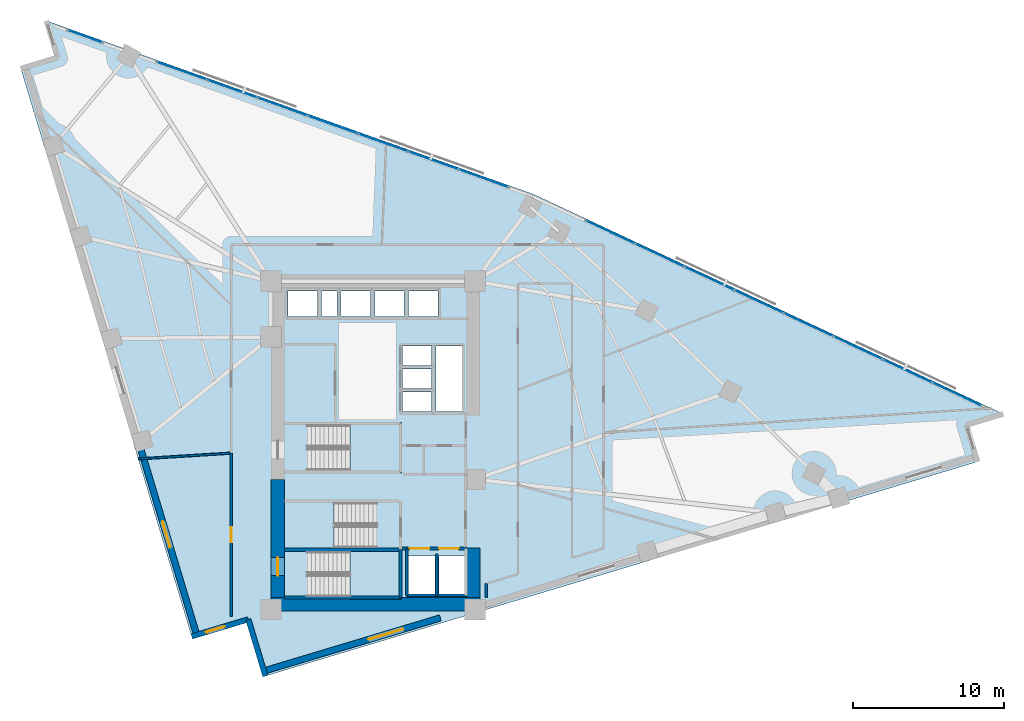
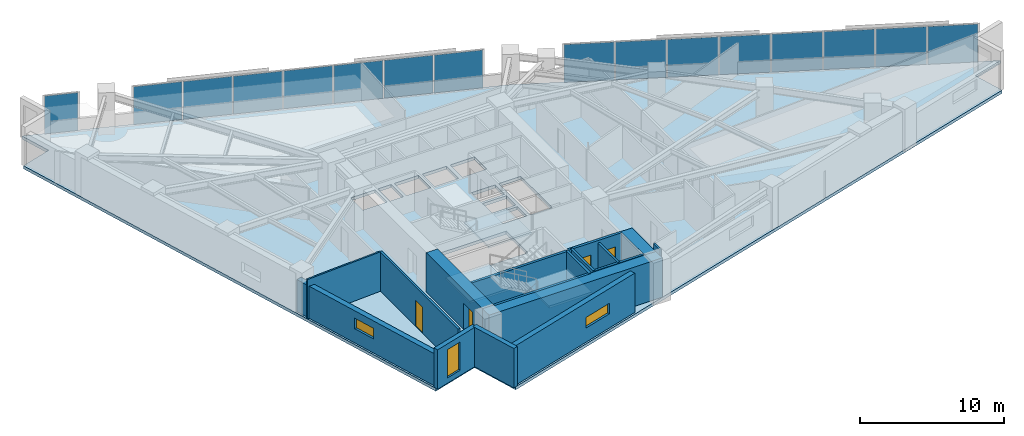
# One storey, part 9 of 17: 17 walls, 16 plates, 4 doors, 4 slabs, 3 windows, 7 openings, 6 elements without a shape of their own.
"""IFC4 building model written with IfcOpenShell, lengths in metres."""

from ifc_helpers import new_model, si_unit, direction, frame, frame_2d, origin, origin_2d, place, context, subcontext, project, spatial, polyline, rectangle, outline, extrude, material, layer, layer_set, type_object, element, fill, aggregate, save


model = new_model("IFC4")

# Units and contexts
model_context = context("Model", 3, precision=1e-05, world=origin(), true_north=direction((0.0, 1.0)))
body_context = subcontext(model_context, "Body", "Model", "MODEL_VIEW")
ifc_project = project(units=[si_unit("LENGTHUNIT", "METRE"), si_unit("AREAUNIT", "SQUARE_METRE"), si_unit("VOLUMEUNIT", "CUBIC_METRE"), si_unit("PLANEANGLEUNIT", "RADIAN"), si_unit("MASSUNIT", "GRAM", prefix="KILO")], contexts=[model_context])

# Site, building, storey
site_placement = place(None, origin())
site = spatial("IfcSite", under=ifc_project, at=site_placement, CompositionType="ELEMENT")
building_placement = place(site_placement, origin())
building = spatial("IfcBuilding", under=site, at=building_placement, Name="Narakoshi Arena Tower", CompositionType="ELEMENT")
storey_placement = place(building_placement, frame((0.0, 0.0, 139.5)))
storey = spatial("IfcBuildingStorey", under=building, at=storey_placement, Name="L37", CompositionType="ELEMENT", Elevation=139.5)

# Curtain wall, plates
ifc_material_1 = material(Name="Anodised bronze aluminium 6063-T6", Category="aluminium")
curtain_wall_type = type_object("IfcCurtainWallType", Name="CW-HYP-MID", PredefinedType="NOTDEFINED", material=ifc_material_1)
curtain_wall_1_placement = place(storey_placement, origin())
curtain_wall_1 = element("IfcCurtainWall", 1, at=curtain_wall_1_placement, inside=storey, type_object=curtain_wall_type, Name="L37 Folded Hypotenuse Curtain Wall 1-1", PredefinedType="NOTDEFINED")
ifc_material_2 = material(Name="Bronze-tinted low-E laminated glass", Category="glass")
ifc_layer_1 = layer(ifc_material_2, 0.0380859375)
ifc_layer_set_1 = layer_set([ifc_layer_1], Name="Bronze-tinted low-E laminated glass")
plate_type = type_object("IfcPlateType", Name="PLT-GLZ-38", PredefinedType="CURTAIN_PANEL", material=ifc_layer_set_1)
plate_1_placement = place(storey_placement, frame((117.545166015625, 49.0, 0.06494140625), z_axis=(0.0, 0.0, 1.0), x_axis=(-0.905881273009, 0.423531721612, 0.0)))
plate_1 = element("IfcPlate", 2, at=plate_1_placement, type_object=plate_type, Name="CW-02 panel 1.1", PredefinedType="CURTAIN_PANEL", context=body_context, shape_type="SweptSolid", body=[
    extrude(rectangle(XDim=3.52099609375, YDim=0.0380859375, at=origin_2d()), origin(), (0.0, 0.0, 1.0), 3.2099609375),
])
plate_2_placement = place(storey_placement, frame((114.270751953125, 50.531005859375, 0.06494140625), z_axis=(0.0, 0.0, 1.0), x_axis=(-0.905881273009, 0.423531721612, 0.0)))
plate_2 = element("IfcPlate", 3, at=plate_2_placement, type_object=plate_type, Name="CW-02 panel 2.1", PredefinedType="CURTAIN_PANEL", context=body_context, shape_type="SweptSolid", body=[
    extrude(rectangle(XDim=3.558349609375, YDim=0.0380859375, at=origin_2d()), origin(), (0.0, 0.0, 1.0), 3.2099609375),
])
plate_3_placement = place(storey_placement, frame((110.979248046875, 52.06982421875, 0.06494140625), z_axis=(0.0, 0.0, 1.0), x_axis=(-0.905881273009, 0.423531721612, 0.0)))
plate_3 = element("IfcPlate", 4, at=plate_3_placement, type_object=plate_type, Name="CW-02 panel 3.1", PredefinedType="CURTAIN_PANEL", context=body_context, shape_type="SweptSolid", body=[
    extrude(rectangle(XDim=3.558349609375, YDim=0.0380859375, at=origin_2d()), origin(), (0.0, 0.0, 1.0), 3.2099609375),
])
plate_4_placement = place(storey_placement, frame((107.687744140625, 53.60888671875, 0.06494140625), z_axis=(0.0, 0.0, 1.0), x_axis=(-0.905881273009, 0.423531721612, 0.0)))
plate_4 = element("IfcPlate", 5, at=plate_4_placement, type_object=plate_type, Name="CW-02 panel 4.1", PredefinedType="CURTAIN_PANEL", context=body_context, shape_type="SweptSolid", body=[
    extrude(rectangle(XDim=3.558349609375, YDim=0.0380859375, at=origin_2d()), origin(), (0.0, 0.0, 1.0), 3.2099609375),
])
plate_5_placement = place(storey_placement, frame((104.396240234375, 55.147705078125, 0.06494140625), z_axis=(0.0, 0.0, 1.0), x_axis=(-0.905881273009, 0.423531721612, 0.0)))
plate_5 = element("IfcPlate", 6, at=plate_5_placement, type_object=plate_type, Name="CW-02 panel 5.1", PredefinedType="CURTAIN_PANEL", context=body_context, shape_type="SweptSolid", body=[
    extrude(rectangle(XDim=3.558349609375, YDim=0.0380859375, at=origin_2d()), origin(), (0.0, 0.0, 1.0), 3.2099609375),
])
plate_6_placement = place(storey_placement, frame((101.104736328125, 56.6865234375, 0.06494140625), z_axis=(0.0, 0.0, 1.0), x_axis=(-0.905881273009, 0.423531721612, 0.0)))
plate_6 = element("IfcPlate", 7, at=plate_6_placement, type_object=plate_type, Name="CW-02 panel 6.1", PredefinedType="CURTAIN_PANEL", context=body_context, shape_type="SweptSolid", body=[
    extrude(rectangle(XDim=3.558349609375, YDim=0.0380859375, at=origin_2d()), origin(), (0.0, 0.0, 1.0), 3.2099609375),
])
plate_7_placement = place(storey_placement, frame((97.813232421875, 58.2255859375, 0.06494140625), z_axis=(0.0, 0.0, 1.0), x_axis=(-0.905881273009, 0.423531721612, 0.0)))
plate_7 = element("IfcPlate", 8, at=plate_7_placement, type_object=plate_type, Name="CW-02 panel 7.1", PredefinedType="CURTAIN_PANEL", context=body_context, shape_type="SweptSolid", body=[
    extrude(rectangle(XDim=3.558349609375, YDim=0.0380859375, at=origin_2d()), origin(), (0.0, 0.0, 1.0), 3.2099609375),
])
plate_8_placement = place(storey_placement, frame((94.538818359375, 59.75634765625, 0.06494140625), z_axis=(0.0, 0.0, 1.0), x_axis=(-0.905881273009, 0.423531721612, 0.0)))
plate_8 = element("IfcPlate", 9, at=plate_8_placement, type_object=plate_type, Name="CW-02 panel 8.1", PredefinedType="CURTAIN_PANEL", context=body_context, shape_type="SweptSolid", body=[
    extrude(rectangle(XDim=3.52099609375, YDim=0.0380859375, at=origin_2d()), origin(), (0.0, 0.0, 1.0), 3.2099609375),
])
aggregate(curtain_wall_1, [plate_1, plate_2, plate_3, plate_4, plate_5, plate_6, plate_7, plate_8])

curtain_wall_2_placement = place(storey_placement, origin())
curtain_wall_2 = element("IfcCurtainWall", 10, at=curtain_wall_2_placement, inside=storey, type_object=curtain_wall_type, Name="L37 Folded Hypotenuse Curtain Wall 2-1", PredefinedType="NOTDEFINED")
plate_9_placement = place(storey_placement, frame((86.125244140625, 63.327880859375, 0.06494140625), z_axis=(0.0, 0.0, 1.0), x_axis=(-0.94203368957, 0.335518297139, 0.0)))
plate_9 = element("IfcPlate", 11, at=plate_9_placement, type_object=plate_type, Name="CW-02 panel 1.1", PredefinedType="CURTAIN_PANEL", context=body_context, shape_type="SweptSolid", body=[
    extrude(rectangle(XDim=3.437744140625, YDim=0.0380859375, at=origin_2d()), origin(), (0.0, 0.0, 1.0), 3.2099609375),
])
plate_10_placement = place(storey_placement, frame((82.79833984375, 64.512939453125, 0.06494140625), z_axis=(0.0, 0.0, 1.0), x_axis=(-0.94203368957, 0.335518297139, 0.0)))
plate_10 = element("IfcPlate", 12, at=plate_10_placement, type_object=plate_type, Name="CW-02 panel 2.1", PredefinedType="CURTAIN_PANEL", context=body_context, shape_type="SweptSolid", body=[
    extrude(rectangle(XDim=3.475341796875, YDim=0.0380859375, at=origin_2d()), origin(), (0.0, 0.0, 1.0), 3.2099609375),
])
plate_11_placement = place(storey_placement, frame((79.453857421875, 65.7041015625, 0.06494140625), z_axis=(0.0, 0.0, 1.0), x_axis=(-0.94203368957, 0.335518297139, 0.0)))
plate_11 = element("IfcPlate", 13, at=plate_11_placement, type_object=plate_type, Name="CW-02 panel 3.1", PredefinedType="CURTAIN_PANEL", context=body_context, shape_type="SweptSolid", body=[
    extrude(rectangle(XDim=3.475341796875, YDim=0.0380859375, at=origin_2d()), origin(), (0.0, 0.0, 1.0), 3.2099609375),
])
plate_12_placement = place(storey_placement, frame((76.109130859375, 66.895263671875, 0.06494140625), z_axis=(0.0, 0.0, 1.0), x_axis=(-0.94203368957, 0.335518297139, 0.0)))
plate_12 = element("IfcPlate", 14, at=plate_12_placement, type_object=plate_type, Name="CW-02 panel 4.1", PredefinedType="CURTAIN_PANEL", context=body_context, shape_type="SweptSolid", body=[
    extrude(rectangle(XDim=3.475341796875, YDim=0.0380859375, at=origin_2d()), origin(), (0.0, 0.0, 1.0), 3.2099609375),
])
plate_13_placement = place(storey_placement, frame((72.7646484375, 68.08642578125, 0.06494140625), z_axis=(0.0, 0.0, 1.0), x_axis=(-0.94203368957, 0.335518297139, 0.0)))
plate_13 = element("IfcPlate", 15, at=plate_13_placement, type_object=plate_type, Name="CW-02 panel 5.1", PredefinedType="CURTAIN_PANEL", context=body_context, shape_type="SweptSolid", body=[
    extrude(rectangle(XDim=3.475341796875, YDim=0.0380859375, at=origin_2d()), origin(), (0.0, 0.0, 1.0), 3.2099609375),
])
plate_14_placement = place(storey_placement, frame((69.420166015625, 69.277587890625, 0.06494140625), z_axis=(0.0, 0.0, 1.0), x_axis=(-0.94203368957, 0.335518297139, 0.0)))
plate_14 = element("IfcPlate", 16, at=plate_14_placement, type_object=plate_type, Name="CW-02 panel 6.1", PredefinedType="CURTAIN_PANEL", context=body_context, shape_type="SweptSolid", body=[
    extrude(rectangle(XDim=3.475341796875, YDim=0.0380859375, at=origin_2d()), origin(), (0.0, 0.0, 1.0), 3.2099609375),
])
plate_15_placement = place(storey_placement, frame((66.09326171875, 70.462646484375, 0.06494140625), z_axis=(0.0, 0.0, 1.0), x_axis=(-0.94203368957, 0.335518297139, 0.0)))
plate_15 = element("IfcPlate", 17, at=plate_15_placement, type_object=plate_type, Name="CW-02 panel 7.1", PredefinedType="CURTAIN_PANEL", context=body_context, shape_type="SweptSolid", body=[
    extrude(rectangle(XDim=3.437744140625, YDim=0.0380859375, at=origin_2d()), origin(), (0.0, 0.0, 1.0), 3.2099609375),
])
aggregate(curtain_wall_2, [plate_9, plate_10, plate_11, plate_12, plate_13, plate_14, plate_15])

# Curtain wall, plate
curtain_wall_3_placement = place(storey_placement, origin())
curtain_wall_3 = element("IfcCurtainWall", 18, at=curtain_wall_3_placement, inside=storey, type_object=curtain_wall_type, Name="L37 Folded Hypotenuse Curtain Wall 2-2", PredefinedType="NOTDEFINED")
plate_16_placement = place(storey_placement, frame((59.671142578125, 72.75, 0.06494140625), z_axis=(0.0, 0.0, 1.0), x_axis=(-0.942025293591, 0.335541869571, 0.0)))
plate_16 = element("IfcPlate", 19, at=plate_16_placement, type_object=plate_type, Name="CW-02 panel 1.1", PredefinedType="CURTAIN_PANEL", context=body_context, shape_type="SweptSolid", body=[
    extrude(rectangle(XDim=2.3779296875, YDim=0.0380859375, at=origin_2d()), origin(), (0.0, 0.0, 1.0), 3.2099609375),
])
aggregate(curtain_wall_3, [plate_16])

# Stair, slab
ifc_material_3 = material(Name="Concrete C45/55", Category="concrete")
stair_type = type_object("IfcStairType", Name="STR-CORE-360", PredefinedType="TWO_STRAIGHT_RUN_STAIR", material=ifc_material_3)
stair_1_placement = place(storey_placement, origin())
stair_1 = element("IfcStair", 20, at=stair_1_placement, inside=storey, type_object=stair_type, Name="L37 Core Escape Stair ST1", PredefinedType="TWO_STRAIGHT_RUN_STAIR")
ifc_layer_2 = layer(ifc_material_3, 0.18994140625)
ifc_layer_set_2 = layer_set([ifc_layer_2], Name="Concrete C45/55")
slab_type_1 = type_object("IfcSlabType", Name="SLB-LND-190", PredefinedType="LANDING", material=ifc_layer_set_2)
slab_1_placement = place(storey_placement, frame((0.0, 0.0, 1.610107421875)))
slab_1 = element("IfcSlab", 21, at=slab_1_placement, type_object=slab_type_1, Name="ST1 landing 1", PredefinedType="LANDING", context=body_context, shape_type="SweptSolid", body=[
    extrude(outline(polyline([(77.25, 35.3701171875), (80.679931640625, 35.3701171875), (80.679931640625, 38.72998046875), (77.25, 38.72998046875), (77.25, 35.3701171875)])), origin(), (0.0, 0.0, 1.0), 0.18994140625),
])
aggregate(stair_1, [slab_1])

stair_2_placement = place(storey_placement, origin())
stair_2 = element("IfcStair", 22, at=stair_2_placement, inside=storey, type_object=stair_type, Name="L37 Core Escape Stair ST2", PredefinedType="TWO_STRAIGHT_RUN_STAIR")
slab_2_placement = place(storey_placement, frame((0.0, 0.0, 1.610107421875)))
slab_2 = element("IfcSlab", 23, at=slab_2_placement, type_object=slab_type_1, Name="ST2 landing 1", PredefinedType="LANDING", context=body_context, shape_type="SweptSolid", body=[
    extrude(outline(polyline([(72.77001953125, 38.6201171875), (76.199951171875, 38.6201171875), (76.199951171875, 41.97998046875), (72.77001953125, 41.97998046875), (72.77001953125, 38.6201171875)])), origin(), (0.0, 0.0, 1.0), 0.18994140625),
])
aggregate(stair_2, [slab_2])

stair_3_placement = place(storey_placement, origin())
stair_3 = element("IfcStair", 24, at=stair_3_placement, inside=storey, type_object=stair_type, Name="L37 Core Escape Stair ST3", PredefinedType="TWO_STRAIGHT_RUN_STAIR")
slab_3_placement = place(storey_placement, frame((0.0, 0.0, 1.610107421875)))
slab_3 = element("IfcSlab", 25, at=slab_3_placement, type_object=slab_type_1, Name="ST3 landing 1", PredefinedType="LANDING", context=body_context, shape_type="SweptSolid", body=[
    extrude(outline(polyline([(77.25, 43.77001953125), (80.679931640625, 43.77001953125), (80.679931640625, 47.1298828125), (77.25, 47.1298828125), (77.25, 43.77001953125)])), origin(), (0.0, 0.0, 1.0), 0.18994140625),
])
aggregate(stair_3, [slab_3])

# Slab
ifc_material_4 = material(Name="Concrete C50/60", Category="concrete")
ifc_layer_3 = layer(ifc_material_4, 0.260009765625)
ifc_layer_set_3 = layer_set([ifc_layer_3], Name="Concrete C50/60")
slab_type_2 = type_object("IfcSlabType", Name="SLB-SKY-260", PredefinedType="FLOOR", material=ifc_layer_set_3)
slab_4_placement = place(storey_placement, frame((0.0, 0.0, -0.260009765625)))
element("IfcSlab", 26, at=slab_4_placement, inside=storey, type_object=slab_type_2, Name="L37 Structural Floor Slab", PredefinedType="FLOOR", context=body_context, shape_type="SweptSolid", body=[
    extrude(outline(polyline([(71.635498046875, 30.28857421875), (118.908935546875, 44.51611328125), (118.17333984375, 46.96044921875), (120.61767578125, 47.696044921875), (89.422119140625, 62.281005859375), (57.107666015625, 73.790283203125), (57.84326171875, 71.34619140625), (55.39892578125, 70.610595703125), (66.743408203125, 32.917236328125), (70.50390625, 34.048828125), (71.635498046875, 30.28857421875)]), holes=[polyline([(80.5, 35.550048828125), (74.47998046875, 35.550048828125), (74.47998046875, 38.550048828125), (80.5, 38.550048828125), (80.5, 35.550048828125)]), polyline([(82.89990234375, 35.75), (81.14990234375, 35.75), (81.14990234375, 38.25), (82.89990234375, 38.25), (82.89990234375, 35.75)]), polyline([(83.14990234375, 35.75), (83.14990234375, 38.25), (84.89990234375, 38.25), (84.89990234375, 35.75), (83.14990234375, 35.75)]), polyline([(72.949951171875, 38.800048828125), (72.949951171875, 41.800048828125), (78.969970703125, 41.800048828125), (78.969970703125, 38.800048828125), (72.949951171875, 38.800048828125)]), polyline([(74.47998046875, 43.949951171875), (74.47998046875, 46.949951171875), (80.5, 46.949951171875), (80.5, 43.949951171875), (74.47998046875, 43.949951171875)]), polyline([(82.949951171875, 47.840087890625), (82.949951171875, 52.199951171875), (84.699951171875, 52.199951171875), (84.699951171875, 47.840087890625), (82.949951171875, 47.840087890625)]), polyline([(80.75, 47.85009765625), (80.75, 49.14990234375), (82.64990234375, 49.14990234375), (82.64990234375, 47.85009765625), (80.75, 47.85009765625)]), polyline([(80.75, 49.3701171875), (80.75, 50.669921875), (82.64990234375, 50.669921875), (82.64990234375, 49.3701171875), (80.75, 49.3701171875)]), polyline([(80.75, 50.889892578125), (80.75, 52.18994140625), (82.64990234375, 52.18994140625), (82.64990234375, 50.889892578125), (80.75, 50.889892578125)]), polyline([(73.14990234375, 54.14990234375), (73.14990234375, 55.85009765625), (75.10009765625, 55.85009765625), (75.10009765625, 54.14990234375), (73.14990234375, 54.14990234375)]), polyline([(75.35009765625, 54.14990234375), (75.35009765625, 55.85009765625), (76.39990234375, 55.85009765625), (76.39990234375, 54.14990234375), (75.35009765625, 54.14990234375)]), polyline([(76.64990234375, 54.14990234375), (76.64990234375, 55.85009765625), (78.60009765625, 55.85009765625), (78.60009765625, 54.14990234375), (76.64990234375, 54.14990234375)]), polyline([(78.89990234375, 54.14990234375), (78.89990234375, 55.85009765625), (80.85009765625, 55.85009765625), (80.85009765625, 54.14990234375), (78.89990234375, 54.14990234375)]), polyline([(81.14990234375, 54.14990234375), (81.14990234375, 55.85009765625), (83.10009765625, 55.85009765625), (83.10009765625, 54.14990234375), (81.14990234375, 54.14990234375)])]), origin(), (0.0, 0.0, 1.0), 0.260009765625),
])

# Wall, opening, door
ifc_material_5 = material(Name="Concrete C60/75", Category="concrete")
ifc_layer_4 = layer(ifc_material_5, 0.89990234375)
ifc_layer_set_4 = layer_set([ifc_layer_4], Name="Concrete C60/75")
wall_type_1 = type_object("IfcWallType", Name="WL-CORE-900", PredefinedType="SHEAR", material=ifc_layer_set_4)
wall_1_placement = place(storey_placement, frame((72.449951171875, 35.5, -0.260009765625), z_axis=(0.0, 0.0, 1.0), x_axis=(0.0, 1.0, 0.0)))
wall_1 = element("IfcWall", 27, at=wall_1_placement, inside=storey, type_object=wall_type_1, Name="L37 Central Core Shear Wall CW-APX-W", PredefinedType="SHEAR", context=body_context, shape_type="SweptSolid", body=[
    extrude(rectangle(XDim=7.85009765625, YDim=0.89990234375, at=frame_2d((3.925048828125, 0.0))), origin(), (0.0, 0.0, 1.0), 3.60009765625),
])
opening_1_placement = place(wall_1_placement, frame((1.449951171875, 0.0, 0.260009765625)))
opening_1 = element("IfcOpeningElement", 28, at=opening_1_placement, cuts=wall_1, Name="Opening D-03", PredefinedType="OPENING", context=body_context, shape_type="SweptSolid", body=[
    extrude(rectangle(XDim=1.199951171875, YDim=2.199951171875, at=frame_2d((0.60009765625, 1.10009765625))), frame((0.0, 0.4599609375, 0.0), z_axis=(0.0, -1.0, 0.0), x_axis=(1.0, 0.0, 0.0)), (0.0, 0.0, 1.0), 0.919921875),
])
ifc_material_6 = material(Name="Painted galvanized steel", Category="steel")
door_type_1 = type_object("IfcDoorType", Name="DR-STR-1200", OperationType="NOTDEFINED", PredefinedType="USERDEFINED", material=ifc_material_6)
door_1_placement = place(opening_1_placement, frame((1.199951171875, 0.0, 0.0), z_axis=(0.0, 0.0, 1.0), x_axis=(-1.0, 0.0, 0.0)))
door_1 = element("IfcDoor", 29, at=door_1_placement, inside=storey, type_object=door_type_1, Name="DR-L37-001", ObjectType="EXITDOOR", OperationType="SINGLE_SWING_LEFT", OverallHeight=2.199951171875, OverallWidth=1.199951171875, PredefinedType="USERDEFINED", context=body_context, shape_type="SweptSolid", body=[
    extrude(rectangle(XDim=1.199951171875, YDim=2.199951171875, at=frame_2d((0.60009765625, 1.10009765625))), frame((0.0, 0.02490234375, 0.0), z_axis=(0.0, -1.0, 0.0), x_axis=(1.0, 0.0, 0.0)), (0.0, 0.0, 1.0), 0.050048828125),
])
fill(opening_1, door_1)

# Walls
wall_2_placement = place(storey_placement, frame((72.0, 35.050048828125, -0.260009765625), z_axis=(0.0, 0.0, 1.0), x_axis=(1.0, 0.0, 0.0)))
element("IfcWall", 30, at=wall_2_placement, inside=storey, type_object=wall_type_1, Name="L37 Central Core Shear Wall CW-APX-S", PredefinedType="SHEAR", context=body_context, shape_type="SweptSolid", body=[
    extrude(rectangle(XDim=13.89990234375, YDim=0.89990234375, at=frame_2d((6.949951171875, 0.0))), origin(), (0.0, 0.0, 1.0), 3.60009765625),
])
wall_3_placement = place(storey_placement, frame((85.449951171875, 35.5, -0.260009765625), z_axis=(0.0, 0.0, 1.0), x_axis=(0.0, 1.0, 0.0)))
element("IfcWall", 31, at=wall_3_placement, inside=storey, type_object=wall_type_1, Name="L37 Central Core Shear Wall CW-APX-E", PredefinedType="SHEAR", context=body_context, shape_type="SweptSolid", body=[
    extrude(rectangle(XDim=3.300048828125, YDim=0.89990234375, at=frame_2d((1.64990234375, 0.0))), origin(), (0.0, 0.0, 1.0), 3.60009765625),
])

# Wall, opening, door
ifc_material_7 = material(Name="Gypsum plasterboard fire-rated partition")
ifc_layer_5 = layer(ifc_material_7, 0.1650390625)
ifc_layer_set_5 = layer_set([ifc_layer_5], Name="Gypsum plasterboard fire-rated partition")
wall_type_2 = type_object("IfcWallType", Name="WL-CORR-165", PredefinedType="PARTITIONING", material=ifc_layer_set_5)
wall_4_placement = place(storey_placement, frame((69.364990234375, 45.087646484375, 0.0), z_axis=(0.0, 0.0, 1.0), x_axis=(0.0, -1.0, 0.0)))
wall_4 = element("IfcWall", 32, at=wall_4_placement, inside=storey, type_object=wall_type_2, Name="L37 Corridor Partition 01-1", PredefinedType="PARTITIONING", context=body_context, shape_type="SweptSolid", body=[
    extrude(rectangle(XDim=10.859375, YDim=0.1650390625, at=frame_2d((5.4296875, 0.0))), origin(), (0.0, 0.0, 1.0), 3.340087890625),
])
opening_2_placement = place(wall_4_placement, frame((4.9296875, 0.0, 0.0)))
opening_2 = element("IfcOpeningElement", 33, at=opening_2_placement, cuts=wall_4, Name="Opening D-06", PredefinedType="OPENING", context=body_context, shape_type="SweptSolid", body=[
    extrude(rectangle(XDim=1.0, YDim=2.199951171875, at=frame_2d((0.5, 1.10009765625))), frame((0.0, 0.092529296875, 0.0), z_axis=(0.0, -1.0, 0.0), x_axis=(1.0, 0.0, 0.0)), (0.0, 0.0, 1.0), 0.18505859375),
])
ifc_material_8 = material(Name="Stained oak solid-core timber", Category="wood")
door_type_2 = type_object("IfcDoorType", Name="DR-OFF-1000", OperationType="NOTDEFINED", PredefinedType="DOOR", material=ifc_material_8)
door_2_placement = place(opening_2_placement, frame((1.0, 0.0, 0.0), z_axis=(0.0, 0.0, 1.0), x_axis=(-1.0, 0.0, 0.0)))
door_2 = element("IfcDoor", 34, at=door_2_placement, inside=storey, type_object=door_type_2, Name="DR-L37-014", OperationType="SINGLE_SWING_LEFT", OverallHeight=2.199951171875, OverallWidth=1.0, PredefinedType="DOOR", context=body_context, shape_type="SweptSolid", body=[
    extrude(rectangle(XDim=1.0, YDim=2.199951171875, at=frame_2d((0.5, 1.10009765625))), frame((0.0, 0.02490234375, 0.0), z_axis=(0.0, -1.0, 0.0), x_axis=(1.0, 0.0, 0.0)), (0.0, 0.0, 1.0), 0.050048828125),
])
fill(opening_2, door_2)

# Wall
ifc_layer_6 = layer(ifc_material_7, 0.125)
ifc_layer_set_6 = layer_set([ifc_layer_6], Name="Gypsum plasterboard fire-rated partition")
wall_type_3 = type_object("IfcWallType", Name="WL-PART-125", PredefinedType="PARTITIONING", material=ifc_layer_set_6)
wall_5_placement = place(storey_placement, frame((63.195556640625, 44.705322265625, 0.0), z_axis=(0.0, 0.0, 1.0), x_axis=(0.998085371106, 0.061851370102, 0.0)))
element("IfcWall", 35, at=wall_5_placement, inside=storey, type_object=wall_type_3, Name="L37 Inter-Room Partition 01-09", PredefinedType="PARTITIONING", context=body_context, shape_type="SweptSolid", body=[
    extrude(rectangle(XDim=6.086669921875, YDim=0.125, at=frame_2d((3.04345703125, 0.0))), origin(), (0.0, 0.0, 1.0), 3.340087890625),
])

# Wall, opening, window
ifc_material_9 = material(Name="Precast concrete C45/55", Category="concrete")
ifc_layer_7 = layer(ifc_material_9, 0.419921875)
ifc_layer_set_7 = layer_set([ifc_layer_7], Name="Precast concrete C45/55")
wall_type_4 = type_object("IfcWallType", Name="WL-POD-420", PredefinedType="SOLIDWALL", material=ifc_layer_set_7)
wall_6_placement = place(storey_placement, frame((71.53466796875, 30.62353515625, 0.0), z_axis=(0.0, 0.0, 1.0), x_axis=(0.957571099539, 0.288197136226, 0.0)))
wall_6 = element("IfcWall", 36, at=wall_6_placement, inside=storey, type_object=wall_type_4, Name="L37 Architectural Concrete Facade Wall LEGA-1", PredefinedType="SOLIDWALL", context=body_context, shape_type="SweptSolid", body=[
    extrude(rectangle(XDim=12.23583984375, YDim=0.419921875, at=frame_2d((6.117919921875, 0.0))), origin(), (0.0, 0.0, 1.0), 3.340087890625),
])
opening_3_placement = place(wall_6_placement, frame((7.263916015625, 0.0, 1.199951171875)))
opening_3 = element("IfcOpeningElement", 37, at=opening_3_placement, cuts=wall_6, Name="Opening WN-01", PredefinedType="OPENING", context=body_context, shape_type="SweptSolid", body=[
    extrude(rectangle(XDim=2.39990234375, YDim=0.89990234375, at=frame_2d((1.199951171875, 0.449951171875))), frame((0.0, 0.219970703125, 0.0), z_axis=(0.0, -1.0, 0.0), x_axis=(1.0, 0.0, 0.0)), (0.0, 0.0, 1.0), 0.43994140625),
])
window_type_1 = type_object("IfcWindowType", Name="WIN-SLT-24x09", PartitioningType="SINGLE_PANEL", PredefinedType="WINDOW", material=ifc_material_2)
window_1_placement = place(opening_3_placement, origin())
window_1 = element("IfcWindow", 38, at=window_1_placement, inside=storey, type_object=window_type_1, Name="L37 LEGA1 Horizontal Slot Window 1", OverallHeight=0.89990234375, OverallWidth=2.39990234375, PartitioningType="SINGLE_PANEL", PredefinedType="WINDOW", context=body_context, shape_type="SweptSolid", body=[
    extrude(rectangle(XDim=2.39990234375, YDim=0.89990234375, at=frame_2d((1.199951171875, 0.449951171875))), frame((0.0, 0.030029296875, 0.0), z_axis=(0.0, -1.0, 0.0), x_axis=(1.0, 0.0, 0.0)), (0.0, 0.0, 1.0), 0.06005859375),
])
fill(opening_3, window_1)

wall_7_placement = place(storey_placement, frame((63.221435546875, 45.833740234375, 0.0), z_axis=(0.0, 0.0, 1.0), x_axis=(0.288202962273, -0.957569346072, 0.0)))
wall_7 = element("IfcWall", 39, at=wall_7_placement, inside=storey, type_object=wall_type_4, Name="L37 Architectural Concrete Facade Wall LEGB-3", PredefinedType="SOLIDWALL", context=body_context, shape_type="SweptSolid", body=[
    extrude(rectangle(XDim=13.383544921875, YDim=0.419921875, at=frame_2d((6.69189453125, 0.0))), origin(), (0.0, 0.0, 1.0), 2.72509765625),
])
opening_4_placement = place(wall_7_placement, frame((5.5166015625, 0.0, 1.199951171875)))
opening_4 = element("IfcOpeningElement", 40, at=opening_4_placement, cuts=wall_7, Name="Opening WN-02", PredefinedType="OPENING", context=body_context, shape_type="SweptSolid", body=[
    extrude(rectangle(XDim=1.800048828125, YDim=0.89990234375, at=frame_2d((0.89990234375, 0.449951171875))), frame((0.0, 0.219970703125, 0.0), z_axis=(0.0, -1.0, 0.0), x_axis=(1.0, 0.0, 0.0)), (0.0, 0.0, 1.0), 0.43994140625),
])
window_type_2 = type_object("IfcWindowType", Name="WIN-SLT-18x09", PartitioningType="SINGLE_PANEL", PredefinedType="WINDOW", material=ifc_material_2)
window_2_placement = place(opening_4_placement, origin())
window_2 = element("IfcWindow", 41, at=window_2_placement, inside=storey, type_object=window_type_2, Name="L37 LEGB3 Horizontal Slot Window 1", OverallHeight=0.89990234375, OverallWidth=1.800048828125, PartitioningType="SINGLE_PANEL", PredefinedType="WINDOW", context=body_context, shape_type="SweptSolid", body=[
    extrude(rectangle(XDim=1.800048828125, YDim=0.89990234375, at=frame_2d((0.89990234375, 0.449951171875))), frame((0.0, 0.030029296875, 0.0), z_axis=(0.0, -1.0, 0.0), x_axis=(1.0, 0.0, 0.0)), (0.0, 0.0, 1.0), 0.06005859375),
])
fill(opening_4, window_2)

wall_8_placement = place(storey_placement, frame((66.743408203125, 32.917236328125, 0.0), z_axis=(0.0, 0.0, 1.0), x_axis=(0.957584687378, 0.288151985068, 0.0)))
wall_8 = element("IfcWall", 42, at=wall_8_placement, inside=storey, type_object=wall_type_4, Name="L37 Re-Entrant Corner Notch Wall NTA-1", PredefinedType="SOLIDWALL", context=body_context, shape_type="SweptSolid", body=[
    extrude(rectangle(XDim=3.927001953125, YDim=0.360107421875, at=frame_2d((1.96337890625, 0.0))), origin(), (0.0, 0.0, 1.0), 3.340087890625),
])
opening_5_placement = place(wall_8_placement, frame((0.989013671875, 0.0, 0.449951171875)))
opening_5 = element("IfcOpeningElement", 43, at=opening_5_placement, cuts=wall_8, Name="Opening WN-06", PredefinedType="OPENING", context=body_context, shape_type="SweptSolid", body=[
    extrude(rectangle(XDim=1.300048828125, YDim=2.39990234375, at=frame_2d((0.64990234375, 1.199951171875))), frame((0.0, 0.18994140625, 0.0), z_axis=(0.0, -1.0, 0.0), x_axis=(1.0, 0.0, 0.0)), (0.0, 0.0, 1.0), 0.380126953125),
])
window_type_3 = type_object("IfcWindowType", Name="WIN-NTC-16x24", PartitioningType="SINGLE_PANEL", PredefinedType="WINDOW", material=ifc_material_2)
window_3_placement = place(opening_5_placement, origin())
window_3 = element("IfcWindow", 44, at=window_3_placement, inside=storey, type_object=window_type_3, Name="L37 Corner Notch Window NTA", OverallHeight=2.39990234375, OverallWidth=1.300048828125, PartitioningType="SINGLE_PANEL", PredefinedType="WINDOW", context=body_context, shape_type="SweptSolid", body=[
    extrude(rectangle(XDim=1.300048828125, YDim=2.39990234375, at=frame_2d((0.64990234375, 1.199951171875))), frame((0.0, 0.030029296875, 0.0), z_axis=(0.0, -1.0, 0.0), x_axis=(1.0, 0.0, 0.0)), (0.0, 0.0, 1.0), 0.06005859375),
])
fill(opening_5, window_3)

# Walls
wall_9_placement = place(storey_placement, frame((70.50390625, 34.048828125, 0.0), z_axis=(0.0, 0.0, 1.0), x_axis=(0.288169140251, -0.957579524952, 0.0)))
element("IfcWall", 45, at=wall_9_placement, inside=storey, type_object=wall_type_4, Name="L37 Re-Entrant Corner Notch Wall NTA-2", PredefinedType="SOLIDWALL", context=body_context, shape_type="SweptSolid", body=[
    extrude(rectangle(XDim=3.9267578125, YDim=0.360107421875, at=frame_2d((1.96337890625, 0.0))), origin(), (0.0, 0.0, 1.0), 3.340087890625),
])
ifc_material_10 = material(Name="Concrete C40/50", Category="concrete")
ifc_layer_8 = layer(ifc_material_10, 0.280029296875)
ifc_layer_set_8 = layer_set([ifc_layer_8], Name="Concrete C40/50")
wall_type_5 = type_object("IfcWallType", Name="WL-RISER-280", PredefinedType="PLUMBINGWALL", material=ifc_layer_set_8)
wall_10_placement = place(storey_placement, frame((83.0, 35.64990234375, 0.0), z_axis=(0.0, 0.0, 1.0), x_axis=(0.0, 1.0, 0.0)))
element("IfcWall", 46, at=wall_10_placement, inside=storey, type_object=wall_type_5, Name="L37 Core Wall FF-DIV", PredefinedType="PLUMBINGWALL", context=body_context, shape_type="SweptSolid", body=[
    extrude(rectangle(XDim=2.75, YDim=0.159912109375, at=frame_2d((1.375, 0.0))), origin(), (0.0, 0.0, 1.0), 3.340087890625),
])
ifc_layer_9 = layer(ifc_material_4, 0.35009765625)
ifc_layer_set_9 = layer_set([ifc_layer_9], Name="Concrete C50/60")
wall_type_6 = type_object("IfcWallType", Name="WL-SHAFT-350", PredefinedType="SOLIDWALL", material=ifc_layer_set_9)
for number, where, z_axis, x_axis, name in (
    (47, (72.919921875, 35.52001953125, -0.260009765625), (0.0, 0.0, 1.0), (1.0, 0.0, 0.0), "L37 Core Wall ST1-S"),
    (48, (72.919921875, 38.675048828125, -0.260009765625), (0.0, 0.0, 1.0), (1.0, 0.0, 0.0), "L37 Core Wall ST12-DIV"),
):
    element("IfcWall", number, at=place(storey_placement, frame(where, z_axis=z_axis, x_axis=x_axis)), inside=storey, type_object=wall_type_6, Name=name, PredefinedType="SOLIDWALL", context=body_context, shape_type="SweptSolid", body=[
        extrude(rectangle(XDim=7.7001953125, YDim=0.199951171875, at=frame_2d((3.85009765625, 0.0))), origin(), (0.0, 0.0, 1.0), 3.60009765625),
    ])
wall_11_placement = place(storey_placement, frame((80.6201171875, 35.52001953125, -0.260009765625), z_axis=(0.0, 0.0, 1.0), x_axis=(0.0, 1.0, 0.0)))
element("IfcWall", 49, at=wall_11_placement, inside=storey, type_object=wall_type_6, Name="L37 Core Wall ST1-E", PredefinedType="SOLIDWALL", context=body_context, shape_type="SweptSolid", body=[
    extrude(rectangle(XDim=3.155029296875, YDim=0.199951171875, at=frame_2d((1.57763671875, 0.0))), origin(), (0.0, 0.0, 1.0), 3.60009765625),
])

# Wall, openings, doors
wall_12_placement = place(storey_placement, frame((80.719970703125, 38.75, 0.0), z_axis=(0.0, 0.0, 1.0), x_axis=(1.0, 0.0, 0.0)))
wall_12 = element("IfcWall", 50, at=wall_12_placement, inside=storey, type_object=wall_type_6, Name="L37 Core Wall FF-N", PredefinedType="SOLIDWALL", context=body_context, shape_type="SweptSolid", body=[
    extrude(rectangle(XDim=4.260009765625, YDim=0.199951171875, at=frame_2d((2.1298828125, 0.0))), origin(), (0.0, 0.0, 1.0), 3.340087890625),
])
opening_6_placement = place(wall_12_placement, frame((0.5, 0.0, 0.0)))
opening_6 = element("IfcOpeningElement", 51, at=opening_6_placement, cuts=wall_12, Name="Opening LD-02", PredefinedType="OPENING", context=body_context, shape_type="SweptSolid", body=[
    extrude(rectangle(XDim=1.300048828125, YDim=2.300048828125, at=frame_2d((0.64990234375, 1.14990234375))), frame((0.0, 0.10986328125, 0.0), z_axis=(0.0, -1.0, 0.0), x_axis=(1.0, 0.0, 0.0)), (0.0, 0.0, 1.0), 0.219970703125),
])
opening_7_placement = place(wall_12_placement, frame((2.449951171875, 0.0, 0.0)))
opening_7 = element("IfcOpeningElement", 52, at=opening_7_placement, cuts=wall_12, Name="Opening LD-02", PredefinedType="OPENING", context=body_context, shape_type="SweptSolid", body=[
    extrude(rectangle(XDim=1.300048828125, YDim=2.300048828125, at=frame_2d((0.64990234375, 1.14990234375))), frame((0.0, 0.10986328125, 0.0), z_axis=(0.0, -1.0, 0.0), x_axis=(1.0, 0.0, 0.0)), (0.0, 0.0, 1.0), 0.219970703125),
])
ifc_material_11 = material(Name="Brushed bronze stainless steel", Category="steel")
door_type_3 = type_object("IfcDoorType", Name="DR-LFT-1300", OperationType="DOUBLE_DOOR_SLIDING", PredefinedType="DOOR", material=ifc_material_11)
door_3_placement = place(opening_6_placement, origin())
door_3 = element("IfcDoor", 53, at=door_3_placement, inside=storey, type_object=door_type_3, Name="DR-L37-003", OperationType="DOUBLE_DOOR_SLIDING", OverallHeight=2.300048828125, OverallWidth=1.300048828125, PredefinedType="DOOR", context=body_context, shape_type="SweptSolid", body=[
    extrude(rectangle(XDim=1.300048828125, YDim=2.300048828125, at=frame_2d((0.64990234375, 1.14990234375))), frame((0.0, 0.02490234375, 0.0), z_axis=(0.0, -1.0, 0.0), x_axis=(1.0, 0.0, 0.0)), (0.0, 0.0, 1.0), 0.050048828125),
])
fill(opening_6, door_3)
door_4_placement = place(opening_7_placement, origin())
door_4 = element("IfcDoor", 54, at=door_4_placement, inside=storey, type_object=door_type_3, Name="DR-L37-004", OperationType="DOUBLE_DOOR_SLIDING", OverallHeight=2.300048828125, OverallWidth=1.300048828125, PredefinedType="DOOR", context=body_context, shape_type="SweptSolid", body=[
    extrude(rectangle(XDim=1.300048828125, YDim=2.300048828125, at=frame_2d((0.64990234375, 1.14990234375))), frame((0.0, 0.02490234375, 0.0), z_axis=(0.0, -1.0, 0.0), x_axis=(1.0, 0.0, 0.0)), (0.0, 0.0, 1.0), 0.050048828125),
])
fill(opening_7, door_4)

# Walls
wall_13_placement = place(storey_placement, frame((81.02001953125, 35.64990234375, 0.0), z_axis=(0.0, 0.0, 1.0), x_axis=(0.0, 1.0, 0.0)))
element("IfcWall", 55, at=wall_13_placement, inside=storey, type_object=wall_type_6, Name="L37 Core Wall FF-W", PredefinedType="SOLIDWALL", context=body_context, shape_type="SweptSolid", body=[
    extrude(rectangle(XDim=3.10009765625, YDim=0.179931640625, at=frame_2d((1.550048828125, 0.0))), origin(), (0.0, 0.0, 1.0), 3.340087890625),
])
wall_14_placement = place(storey_placement, frame((81.02001953125, 35.64990234375, 0.0), z_axis=(0.0, 0.0, 1.0), x_axis=(1.0, 0.0, 0.0)))
element("IfcWall", 56, at=wall_14_placement, inside=storey, type_object=wall_type_6, Name="L37 Core Wall FF-S", PredefinedType="SOLIDWALL", context=body_context, shape_type="SweptSolid", body=[
    extrude(rectangle(XDim=3.929931640625, YDim=0.179931640625, at=frame_2d((1.96484375, 0.0))), origin(), (0.0, 0.0, 1.0), 3.340087890625),
])
ifc_material_12 = material(Name="Moisture-resistant cement-board partition")
ifc_layer_10 = layer(ifc_material_12, 0.14501953125)
ifc_layer_set_10 = layer_set([ifc_layer_10], Name="Moisture-resistant cement-board partition")
wall_type_7 = type_object("IfcWallType", Name="WL-WET-145", PredefinedType="PARTITIONING", material=ifc_layer_set_10)
wall_15_placement = place(storey_placement, frame((86.300048828125, 35.5166015625, 0.0), z_axis=(0.0, 0.0, 1.0), x_axis=(0.0, 1.0, 0.0)))
element("IfcWall", 57, at=wall_15_placement, inside=storey, type_object=wall_type_7, Name="L37 Room Enclosure Partition 02-1", PredefinedType="PARTITIONING", context=body_context, shape_type="SweptSolid", body=[
    extrude(rectangle(XDim=0.908447265625, YDim=0.14501953125, at=frame_2d((0.4541015625, 0.0))), origin(), (0.0, 0.0, 1.0), 3.340087890625),
])

save(model, "model.ifc")
